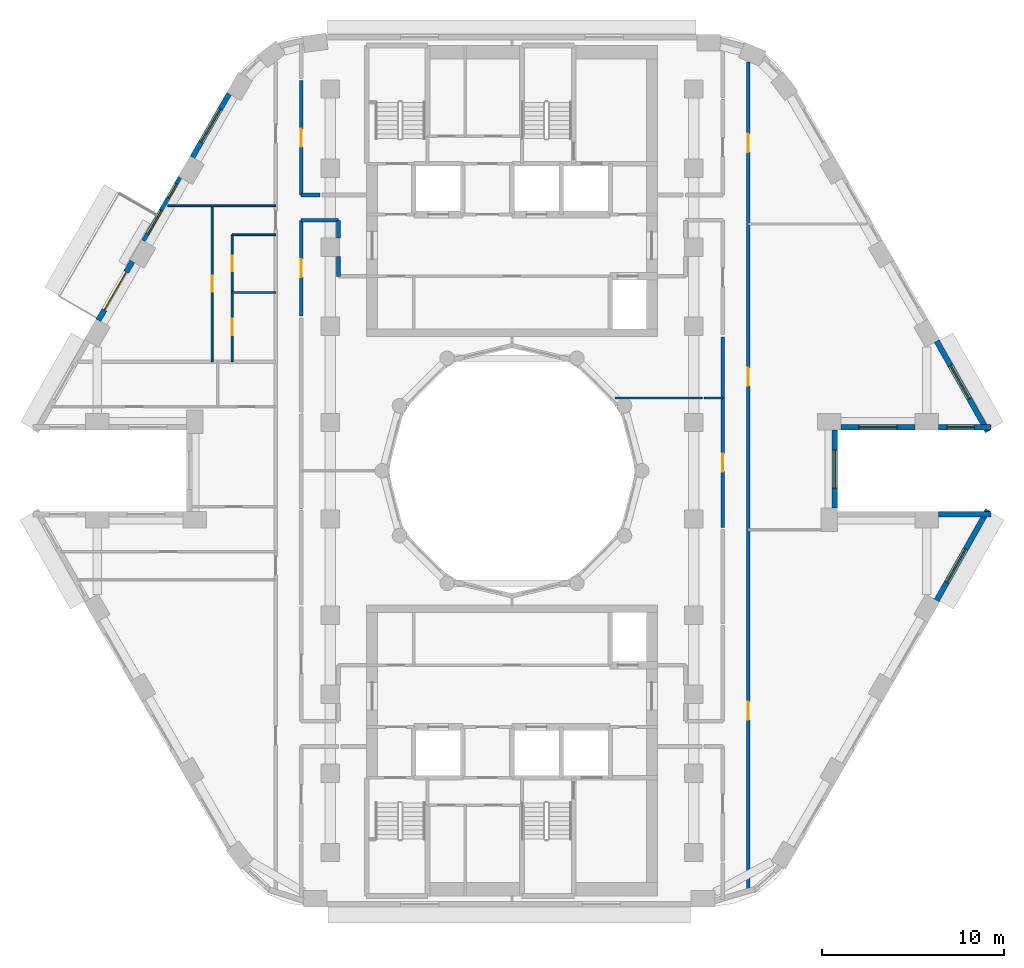
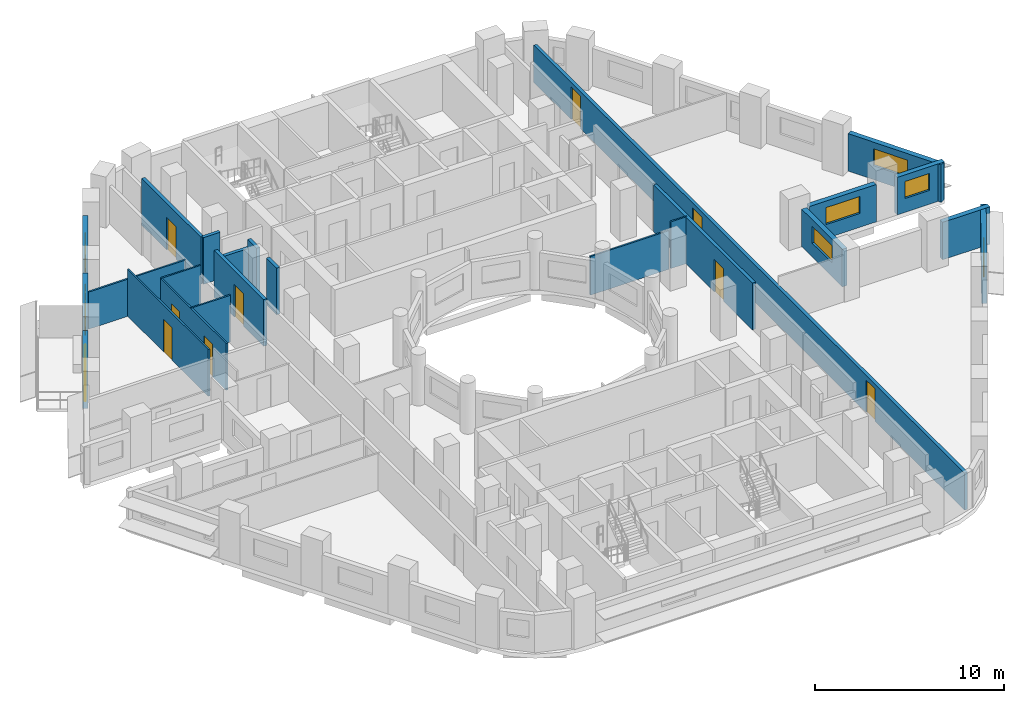
# One storey, part 6 of 13: 24 walls, 10 doors, 8 windows, 18 openings.
"""IFC4 building model written with IfcOpenShell, lengths in metres."""

from ifc_helpers import new_model, si_unit, direction, frame, frame_2d, origin, place, context, subcontext, project, spatial, rectangle, extrude, material, layer, layer_set, type_object, element, fill, save


model = new_model("IFC4")

# Units and contexts
model_context = context("Model", 3, precision=1e-05, world=origin(), true_north=direction((0.0, 1.0)))
body_context = subcontext(model_context, "Body", "Model", "MODEL_VIEW")
ifc_project = project(units=[si_unit("LENGTHUNIT", "METRE"), si_unit("AREAUNIT", "SQUARE_METRE"), si_unit("VOLUMEUNIT", "CUBIC_METRE"), si_unit("PLANEANGLEUNIT", "RADIAN"), si_unit("MASSUNIT", "GRAM", prefix="KILO")], contexts=[model_context])

# Site, building, storey
site_placement = place(None, origin())
site = spatial("IfcSite", under=ifc_project, at=site_placement, CompositionType="ELEMENT")
building_placement = place(site_placement, origin())
building = spatial("IfcBuilding", under=site, at=building_placement, Name="Nakaniwa Court", CompositionType="ELEMENT")
storey_placement = place(building_placement, frame((0.0, 0.0, 133.800048828125)))
storey = spatial("IfcBuildingStorey", under=building, at=storey_placement, Name="L34", CompositionType="ELEMENT", Elevation=133.800048828125)

# Wall, opening, door
ifc_material_1 = material(Name="Acoustic double stud partition")
ifc_layer_1 = layer(ifc_material_1, 0.199951171875)
ifc_layer_set_1 = layer_set([ifc_layer_1], Name="Acoustic double stud partition")
wall_type_1 = type_object("IfcWallType", Name="Acoustic double stud partition 200", PredefinedType="PARTITIONING", material=ifc_layer_set_1)
wall_1_placement = place(storey_placement, frame((91.60009765625, 76.88720703125, 0.0), z_axis=(0.0, 0.0, 1.0), x_axis=(0.0, 1.0, 0.0)))
wall_1 = element("IfcWall", 1, at=wall_1_placement, inside=storey, type_object=wall_type_1, Name="Partition PW-069", PredefinedType="PARTITIONING", context=body_context, shape_type="SweptSolid", body=[
    extrude(rectangle(XDim=10.485595703125, YDim=0.199951171875, at=frame_2d((5.24267578125, 0.0))), origin(), (0.0, 0.0, 1.0), 3.02490234375),
])
opening_1_placement = place(wall_1_placement, frame((3.05810546875, 0.0, 0.0)))
opening_1 = element("IfcOpeningElement", 2, at=opening_1_placement, cuts=wall_1, Name="Opening D-02-03", PredefinedType="OPENING", context=body_context, shape_type="SweptSolid", body=[
    extrude(rectangle(XDim=1.0, YDim=2.10009765625, at=frame_2d((0.5, 1.050048828125))), frame((0.0, 0.10986328125, 0.0), z_axis=(0.0, -1.0, 0.0), x_axis=(1.0, 0.0, 0.0)), (0.0, 0.0, 1.0), 0.219970703125),
])
ifc_material_2 = material(Name="Solid core timber door set, black veneer", Category="wood")
door_type_1 = type_object("IfcDoorType", Name="Internal door 1000", OperationType="NOTDEFINED", PredefinedType="DOOR", material=ifc_material_2)
door_1_placement = place(opening_1_placement, origin())
door_1 = element("IfcDoor", 3, at=door_1_placement, inside=storey, type_object=door_type_1, Name="Door D-02-03 L34-023", OperationType="SINGLE_SWING_RIGHT", OverallHeight=2.10009765625, OverallWidth=1.0, PredefinedType="DOOR", context=body_context, shape_type="SweptSolid", body=[
    extrude(rectangle(XDim=1.0, YDim=2.10009765625, at=frame_2d((0.5, 1.050048828125))), frame((0.0, 0.02490234375, 0.0), z_axis=(0.0, -1.0, 0.0), x_axis=(1.0, 0.0, 0.0)), (0.0, 0.0, 1.0), 0.050048828125),
])
fill(opening_1, door_1)

# Wall, openings, doors
wall_2_placement = place(storey_placement, frame((93.0, 102.498046875, 0.0), z_axis=(0.0, 0.0, 1.0), x_axis=(0.0, -1.0, 0.0)))
wall_2 = element("IfcWall", 4, at=wall_2_placement, inside=storey, type_object=wall_type_1, Name="Partition PW-077", PredefinedType="PARTITIONING", context=body_context, shape_type="SweptSolid", body=[
    extrude(rectangle(XDim=45.664794921875, YDim=0.199951171875, at=frame_2d((22.83251953125, 0.0))), origin(), (0.0, 0.0, 1.0), 2.405029296875),
])
opening_2_placement = place(wall_2_placement, frame((35.2060546875, 0.0, 0.0)))
opening_2 = element("IfcOpeningElement", 5, at=opening_2_placement, cuts=wall_2, Name="Opening D-02-02", PredefinedType="OPENING", context=body_context, shape_type="SweptSolid", body=[
    extrude(rectangle(XDim=1.0, YDim=2.10009765625, at=frame_2d((0.5, 1.050048828125))), frame((0.0, 0.10986328125, 0.0), z_axis=(0.0, -1.0, 0.0), x_axis=(1.0, 0.0, 0.0)), (0.0, 0.0, 1.0), 0.219970703125),
])
opening_3_placement = place(wall_2_placement, frame((16.83203125, 0.0, 0.0)))
opening_3 = element("IfcOpeningElement", 6, at=opening_3_placement, cuts=wall_2, Name="Opening D-02-04", PredefinedType="OPENING", context=body_context, shape_type="SweptSolid", body=[
    extrude(rectangle(XDim=1.0, YDim=2.10009765625, at=frame_2d((0.5, 1.050048828125))), frame((0.0, 0.10986328125, 0.0), z_axis=(0.0, -1.0, 0.0), x_axis=(1.0, 0.0, 0.0)), (0.0, 0.0, 1.0), 0.219970703125),
])
opening_4_placement = place(wall_2_placement, frame((3.958984375, 0.0, 0.0)))
opening_4 = element("IfcOpeningElement", 7, at=opening_4_placement, cuts=wall_2, Name="Opening D-02-05", PredefinedType="OPENING", context=body_context, shape_type="SweptSolid", body=[
    extrude(rectangle(XDim=1.0, YDim=2.10009765625, at=frame_2d((0.5, 1.050048828125))), frame((0.0, 0.10986328125, 0.0), z_axis=(0.0, -1.0, 0.0), x_axis=(1.0, 0.0, 0.0)), (0.0, 0.0, 1.0), 0.219970703125),
])
door_2_placement = place(opening_2_placement, origin())
door_2 = element("IfcDoor", 8, at=door_2_placement, inside=storey, type_object=door_type_1, Name="Door D-02-02 L34-022", OperationType="SINGLE_SWING_LEFT", OverallHeight=2.10009765625, OverallWidth=1.0, PredefinedType="DOOR", context=body_context, shape_type="SweptSolid", body=[
    extrude(rectangle(XDim=1.0, YDim=2.10009765625, at=frame_2d((0.5, 1.050048828125))), frame((0.0, 0.02490234375, 0.0), z_axis=(0.0, -1.0, 0.0), x_axis=(1.0, 0.0, 0.0)), (0.0, 0.0, 1.0), 0.050048828125),
])
fill(opening_2, door_2)
door_3_placement = place(opening_3_placement, origin())
door_3 = element("IfcDoor", 9, at=door_3_placement, inside=storey, type_object=door_type_1, Name="Door D-02-04 L34-024", OperationType="SINGLE_SWING_LEFT", OverallHeight=2.10009765625, OverallWidth=1.0, PredefinedType="DOOR", context=body_context, shape_type="SweptSolid", body=[
    extrude(rectangle(XDim=1.0, YDim=2.10009765625, at=frame_2d((0.5, 1.050048828125))), frame((0.0, 0.02490234375, 0.0), z_axis=(0.0, -1.0, 0.0), x_axis=(1.0, 0.0, 0.0)), (0.0, 0.0, 1.0), 0.050048828125),
])
fill(opening_3, door_3)
door_4_placement = place(opening_4_placement, origin())
door_4 = element("IfcDoor", 10, at=door_4_placement, inside=storey, type_object=door_type_1, Name="Door D-02-05 L34-025", OperationType="SINGLE_SWING_RIGHT", OverallHeight=2.10009765625, OverallWidth=1.0, PredefinedType="DOOR", context=body_context, shape_type="SweptSolid", body=[
    extrude(rectangle(XDim=1.0, YDim=2.10009765625, at=frame_2d((0.5, 1.050048828125))), frame((0.0, 0.02490234375, 0.0), z_axis=(0.0, -1.0, 0.0), x_axis=(1.0, 0.0, 0.0)), (0.0, 0.0, 1.0), 0.050048828125),
])
fill(opening_4, door_4)

# Walls
wall_3_placement = place(storey_placement, frame((68.39990234375, 93.77490234375, 0.0), z_axis=(0.0, 0.0, 1.0), x_axis=(1.0, 0.0, 0.0)))
element("IfcWall", 11, at=wall_3_placement, inside=storey, type_object=wall_type_1, Name="Partition PW-086", PredefinedType="PARTITIONING", context=body_context, shape_type="SweptSolid", body=[
    extrude(rectangle(XDim=2.050048828125, YDim=0.199951171875, at=frame_2d((1.02490234375, 0.0))), origin(), (0.0, 0.0, 1.0), 2.5048828125),
])
wall_4_placement = place(storey_placement, frame((68.39990234375, 95.175048828125, 0.0), z_axis=(0.0, 0.0, 1.0), x_axis=(1.0, 0.0, 0.0)))
element("IfcWall", 12, at=wall_4_placement, inside=storey, type_object=wall_type_1, Name="Partition PW-090", PredefinedType="PARTITIONING", context=body_context, shape_type="SweptSolid", body=[
    extrude(rectangle(XDim=1.02294921875, YDim=0.199951171875, at=frame_2d((0.511474609375, 0.0))), origin(), (0.0, 0.0, 1.0), 3.02490234375),
])

# Wall, opening, door
wall_5_placement = place(storey_placement, frame((68.39990234375, 93.77490234375, 0.0), z_axis=(0.0, 0.0, 1.0), x_axis=(0.0, -1.0, 0.0)))
wall_5 = element("IfcWall", 13, at=wall_5_placement, inside=storey, type_object=wall_type_1, Name="Partition PW-100", PredefinedType="PARTITIONING", context=body_context, shape_type="SweptSolid", body=[
    extrude(rectangle(XDim=5.247802734375, YDim=0.199951171875, at=frame_2d((2.6240234375, 0.0))), origin(), (0.0, 0.0, 1.0), 3.02490234375),
])
opening_5_placement = place(wall_5_placement, frame((2.123046875, 0.0, 0.0)))
opening_5 = element("IfcOpeningElement", 14, at=opening_5_placement, cuts=wall_5, Name="Opening D-02-09", PredefinedType="OPENING", context=body_context, shape_type="SweptSolid", body=[
    extrude(rectangle(XDim=1.0, YDim=2.10009765625, at=frame_2d((0.5, 1.050048828125))), frame((0.0, 0.10986328125, 0.0), z_axis=(0.0, -1.0, 0.0), x_axis=(1.0, 0.0, 0.0)), (0.0, 0.0, 1.0), 0.219970703125),
])
door_5_placement = place(opening_5_placement, origin())
door_5 = element("IfcDoor", 15, at=door_5_placement, inside=storey, type_object=door_type_1, Name="Door D-02-09 L34-034", OperationType="SINGLE_SWING_LEFT", OverallHeight=2.10009765625, OverallWidth=1.0, PredefinedType="DOOR", context=body_context, shape_type="SweptSolid", body=[
    extrude(rectangle(XDim=1.0, YDim=2.10009765625, at=frame_2d((0.5, 1.050048828125))), frame((0.0, 0.02490234375, 0.0), z_axis=(0.0, -1.0, 0.0), x_axis=(1.0, 0.0, 0.0)), (0.0, 0.0, 1.0), 0.050048828125),
])
fill(opening_5, door_5)

wall_6_placement = place(storey_placement, frame((68.39990234375, 101.462890625, 0.0), z_axis=(0.0, 0.0, 1.0), x_axis=(0.0, -1.0, 0.0)))
wall_6 = element("IfcWall", 16, at=wall_6_placement, inside=storey, type_object=wall_type_1, Name="Partition PW-101", PredefinedType="PARTITIONING", context=body_context, shape_type="SweptSolid", body=[
    extrude(rectangle(XDim=6.287841796875, YDim=0.199951171875, at=frame_2d((3.14404296875, 0.0))), origin(), (0.0, 0.0, 1.0), 3.02490234375),
])
opening_6_placement = place(wall_6_placement, frame((2.64501953125, 0.0, 0.0)))
opening_6 = element("IfcOpeningElement", 17, at=opening_6_placement, cuts=wall_6, Name="Opening D-02-10", PredefinedType="OPENING", context=body_context, shape_type="SweptSolid", body=[
    extrude(rectangle(XDim=1.0, YDim=2.10009765625, at=frame_2d((0.5, 1.050048828125))), frame((0.0, 0.10986328125, 0.0), z_axis=(0.0, -1.0, 0.0), x_axis=(1.0, 0.0, 0.0)), (0.0, 0.0, 1.0), 0.219970703125),
])
door_6_placement = place(opening_6_placement, origin())
door_6 = element("IfcDoor", 18, at=door_6_placement, inside=storey, type_object=door_type_1, Name="Door D-02-10 L34-039", OperationType="SINGLE_SWING_RIGHT", OverallHeight=2.10009765625, OverallWidth=1.0, PredefinedType="DOOR", context=body_context, shape_type="SweptSolid", body=[
    extrude(rectangle(XDim=1.0, YDim=2.10009765625, at=frame_2d((0.5, 1.050048828125))), frame((0.0, 0.02490234375, 0.0), z_axis=(0.0, -1.0, 0.0), x_axis=(1.0, 0.0, 0.0)), (0.0, 0.0, 1.0), 0.050048828125),
])
fill(opening_6, door_6)

# Walls
wall_7_placement = place(storey_placement, frame((70.449951171875, 90.699951171875, 0.0), z_axis=(0.0, 0.0, 1.0), x_axis=(0.0, 1.0, 0.0)))
element("IfcWall", 19, at=wall_7_placement, inside=storey, type_object=wall_type_1, Name="Partition PW-106", PredefinedType="PARTITIONING", context=body_context, shape_type="SweptSolid", body=[
    extrude(rectangle(XDim=1.082763671875, YDim=0.199951171875, at=frame_2d((0.54150390625, 0.0))), origin(), (0.0, 0.0, 1.0), 3.02490234375),
])
wall_8_placement = place(storey_placement, frame((70.449951171875, 92.817138671875, 0.0), z_axis=(0.0, 0.0, 1.0), x_axis=(0.0, 1.0, 0.0)))
element("IfcWall", 20, at=wall_8_placement, inside=storey, type_object=wall_type_1, Name="Partition PW-107", PredefinedType="PARTITIONING", context=body_context, shape_type="SweptSolid", body=[
    extrude(rectangle(XDim=0.957763671875, YDim=0.199951171875, at=frame_2d((0.47900390625, 0.0))), origin(), (0.0, 0.0, 1.0), 3.02490234375),
])

# Wall, opening, window
ifc_material_3 = material(Name="Charcoal ceramic cladding")
ifc_layer_2 = layer(ifc_material_3, 0.02, Name="Ceramic cladding")
ifc_material_4 = material(Name="Ventilated air cavity")
ifc_layer_3 = layer(ifc_material_4, 0.04, ventilated=True, Name="Ventilated cavity")
ifc_material_5 = material(Name="Mineral wool insulation")
ifc_layer_4 = layer(ifc_material_5, 0.1, Name="Insulation")
ifc_material_6 = material(Name="Cement bonded sheathing board")
ifc_layer_5 = layer(ifc_material_6, 0.012, Name="Sheathing")
ifc_material_7 = material(Name="Cold-formed galvanised stud frame with mineral wool infill")
ifc_layer_6 = layer(ifc_material_7, 0.1, Name="Stud frame")
ifc_material_8 = material(Name="Fire-rated gypsum plasterboard lining")
ifc_layer_7 = layer(ifc_material_8, 0.028, Name="Lining")
ifc_layer_set_2 = layer_set([ifc_layer_2, ifc_layer_3, ifc_layer_4, ifc_layer_5, ifc_layer_6, ifc_layer_7], Name="Charcoal ceramic faced external wall system")
wall_type_2 = type_object("IfcWallType", Name="Black ceramic faced external wall 300", PredefinedType="SOLIDWALL", material=ifc_layer_set_2)
wall_9_placement = place(storey_placement, frame((98.1044921875, 82.39990234375, 0.0), z_axis=(0.0, 0.0, 1.0), x_axis=(1.0, 0.0, 0.0)))
wall_9 = element("IfcWall", 21, at=wall_9_placement, inside=storey, type_object=wall_type_2, Name="L34 external wall 00", PredefinedType="SOLIDWALL", context=body_context, shape_type="SweptSolid", body=[
    extrude(rectangle(XDim=4.072509765625, YDim=0.300048828125, at=frame_2d((2.0361328125, 0.0))), origin(), (0.0, 0.0, 1.0), 2.425048828125),
])
opening_7_placement = place(wall_9_placement, frame((0.986083984375, 0.0, 0.89990234375)))
opening_7 = element("IfcOpeningElement", 22, at=opening_7_placement, cuts=wall_9, Name="Opening W7.01", PredefinedType="OPENING", context=body_context, shape_type="SweptSolid", body=[
    extrude(rectangle(XDim=2.10009765625, YDim=1.10009765625, at=frame_2d((1.050048828125, 0.550048828125))), frame((0.0, 0.159912109375, 0.0), z_axis=(0.0, -1.0, 0.0), x_axis=(1.0, 0.0, 0.0)), (0.0, 0.0, 1.0), 0.320068359375),
])
ifc_material_9 = material(Name="Black anodised aluminium frame with dark low-E laminated double glazing", Category="aluminium")
window_type_1 = type_object("IfcWindowType", Name="Dark glass window 2100x1100 sill 900", PartitioningType="SINGLE_PANEL", PredefinedType="WINDOW", material=ifc_material_9)
window_1_placement = place(opening_7_placement, origin())
window_1 = element("IfcWindow", 23, at=window_1_placement, inside=storey, type_object=window_type_1, Name="L34 habitable room window 00-0", OverallHeight=1.10009765625, OverallWidth=2.10009765625, PartitioningType="SINGLE_PANEL", PredefinedType="WINDOW", context=body_context, shape_type="SweptSolid", body=[
    extrude(rectangle(XDim=2.10009765625, YDim=1.10009765625, at=frame_2d((1.050048828125, 0.550048828125))), frame((0.0, 0.030029296875, 0.0), z_axis=(0.0, -1.0, 0.0), x_axis=(1.0, 0.0, 0.0)), (0.0, 0.0, 1.0), 0.06005859375),
])
fill(opening_7, window_1)

wall_10_placement = place(storey_placement, frame((103.468994140625, 82.39990234375, 0.0), z_axis=(0.0, 0.0, 1.0), x_axis=(1.0, 0.0, 0.0)))
wall_10 = element("IfcWall", 24, at=wall_10_placement, inside=storey, type_object=wall_type_2, Name="L34 external wall 01", PredefinedType="SOLIDWALL", context=body_context, shape_type="SweptSolid", body=[
    extrude(rectangle(XDim=2.8876953125, YDim=0.300048828125, at=frame_2d((1.44384765625, 0.0))), origin(), (0.0, 0.0, 1.0), 2.425048828125),
])
opening_8_placement = place(wall_10_placement, frame((0.468994140625, 0.0, 0.89990234375)))
opening_8 = element("IfcOpeningElement", 25, at=opening_8_placement, cuts=wall_10, Name="Opening W5.02", PredefinedType="OPENING", context=body_context, shape_type="SweptSolid", body=[
    extrude(rectangle(XDim=1.5, YDim=1.10009765625, at=frame_2d((0.75, 0.550048828125))), frame((0.0, 0.159912109375, 0.0), z_axis=(0.0, -1.0, 0.0), x_axis=(1.0, 0.0, 0.0)), (0.0, 0.0, 1.0), 0.320068359375),
])
window_type_2 = type_object("IfcWindowType", Name="Dark glass window 1500x1100 sill 900", PartitioningType="SINGLE_PANEL", PredefinedType="WINDOW", material=ifc_material_9)
window_2_placement = place(opening_8_placement, origin())
window_2 = element("IfcWindow", 26, at=window_2_placement, inside=storey, type_object=window_type_2, Name="L34 habitable room window 01-0", OverallHeight=1.10009765625, OverallWidth=1.5, PartitioningType="SINGLE_PANEL", PredefinedType="WINDOW", context=body_context, shape_type="SweptSolid", body=[
    extrude(rectangle(XDim=1.5, YDim=1.10009765625, at=frame_2d((0.75, 0.550048828125))), frame((0.0, 0.030029296875, 0.0), z_axis=(0.0, -1.0, 0.0), x_axis=(1.0, 0.0, 0.0)), (0.0, 0.0, 1.0), 0.06005859375),
])
fill(opening_8, window_2)

wall_11_placement = place(storey_placement, frame((106.18603515625, 82.1533203125, 0.0), z_axis=(0.0, 0.0, 1.0), x_axis=(-0.492498306264, 0.87031340236, 0.0)))
wall_11 = element("IfcWall", 27, at=wall_11_placement, inside=storey, type_object=wall_type_2, Name="L34 external wall 02", PredefinedType="SOLIDWALL", context=body_context, shape_type="SweptSolid", body=[
    extrude(rectangle(XDim=5.7265625, YDim=0.300048828125, at=frame_2d((2.86328125, 0.0))), origin(), (0.0, 0.0, 1.0), 2.425048828125),
])
opening_9_placement = place(wall_11_placement, frame((2.076416015625, 0.0, 0.89990234375)))
opening_9 = element("IfcOpeningElement", 28, at=opening_9_placement, cuts=wall_11, Name="Opening W7.03", PredefinedType="OPENING", context=body_context, shape_type="SweptSolid", body=[
    extrude(rectangle(XDim=2.10009765625, YDim=1.10009765625, at=frame_2d((1.050048828125, 0.550048828125))), frame((0.0, 0.159912109375, 0.0), z_axis=(0.0, -1.0, 0.0), x_axis=(1.0, 0.0, 0.0)), (0.0, 0.0, 1.0), 0.320068359375),
])
window_3_placement = place(opening_9_placement, origin())
window_3 = element("IfcWindow", 29, at=window_3_placement, inside=storey, type_object=window_type_1, Name="L34 habitable room window 02-0", OverallHeight=1.10009765625, OverallWidth=2.10009765625, PartitioningType="SINGLE_PANEL", PredefinedType="WINDOW", context=body_context, shape_type="SweptSolid", body=[
    extrude(rectangle(XDim=2.10009765625, YDim=1.10009765625, at=frame_2d((1.050048828125, 0.550048828125))), frame((0.0, 0.030029296875, 0.0), z_axis=(0.0, -1.0, 0.0), x_axis=(1.0, 0.0, 0.0)), (0.0, 0.0, 1.0), 0.06005859375),
])
fill(opening_9, window_3)

wall_12_placement = place(storey_placement, frame((64.434814453125, 100.739990234375, 0.0), z_axis=(0.0, 0.0, 1.0), x_axis=(-0.500031546601, -0.86600718958, 0.0)))
wall_12 = element("IfcWall", 30, at=wall_12_placement, inside=storey, type_object=wall_type_2, Name="L34 external wall 11", PredefinedType="SOLIDWALL", context=body_context, shape_type="SweptSolid", body=[
    extrude(rectangle(XDim=4.033935546875, YDim=0.300048828125, at=frame_2d((2.01708984375, 0.0))), origin(), (0.0, 0.0, 1.0), 2.425048828125),
])
opening_10_placement = place(wall_12_placement, frame((0.967041015625, 0.0, 0.89990234375)))
opening_10 = element("IfcOpeningElement", 31, at=opening_10_placement, cuts=wall_12, Name="Opening W7.12", PredefinedType="OPENING", context=body_context, shape_type="SweptSolid", body=[
    extrude(rectangle(XDim=2.10009765625, YDim=1.10009765625, at=frame_2d((1.050048828125, 0.550048828125))), frame((0.0, 0.159912109375, 0.0), z_axis=(0.0, -1.0, 0.0), x_axis=(1.0, 0.0, 0.0)), (0.0, 0.0, 1.0), 0.320068359375),
])
window_4_placement = place(opening_10_placement, origin())
window_4 = element("IfcWindow", 32, at=window_4_placement, inside=storey, type_object=window_type_1, Name="L34 habitable room window 11-0", OverallHeight=1.10009765625, OverallWidth=2.10009765625, PartitioningType="SINGLE_PANEL", PredefinedType="WINDOW", context=body_context, shape_type="SweptSolid", body=[
    extrude(rectangle(XDim=2.10009765625, YDim=1.10009765625, at=frame_2d((1.050048828125, 0.550048828125))), frame((0.0, 0.030029296875, 0.0), z_axis=(0.0, -1.0, 0.0), x_axis=(1.0, 0.0, 0.0)), (0.0, 0.0, 1.0), 0.06005859375),
])
fill(opening_10, window_4)

# Wall, openings, windows
wall_13_placement = place(storey_placement, frame((61.771728515625, 96.127685546875, 0.0), z_axis=(0.0, 0.0, 1.0), x_axis=(-0.500031546601, -0.86600718958, 0.0)))
wall_13 = element("IfcWall", 33, at=wall_13_placement, inside=storey, type_object=wall_type_2, Name="L34 external wall 12", PredefinedType="SOLIDWALL", context=body_context, shape_type="SweptSolid", body=[
    extrude(rectangle(XDim=4.033935546875, YDim=0.300048828125, at=frame_2d((2.01708984375, 0.0))), origin(), (0.0, 0.0, 1.0), 2.425048828125),
])
opening_11_placement = place(wall_13_placement, frame((0.4052734375, 0.0, 0.89990234375)))
opening_11 = element("IfcOpeningElement", 34, at=opening_11_placement, cuts=wall_13, Name="Opening W9.13", PredefinedType="OPENING", context=body_context, shape_type="SweptSolid", body=[
    extrude(rectangle(XDim=0.89990234375, YDim=1.10009765625, at=frame_2d((0.449951171875, 0.550048828125))), frame((0.0, 0.159912109375, 0.0), z_axis=(0.0, -1.0, 0.0), x_axis=(1.0, 0.0, 0.0)), (0.0, 0.0, 1.0), 0.320068359375),
])
opening_12_placement = place(wall_13_placement, frame((2.09765625, 0.0, 0.89990234375)))
opening_12 = element("IfcOpeningElement", 35, at=opening_12_placement, cuts=wall_13, Name="Opening W5.14", PredefinedType="OPENING", context=body_context, shape_type="SweptSolid", body=[
    extrude(rectangle(XDim=1.5, YDim=1.10009765625, at=frame_2d((0.75, 0.550048828125))), frame((0.0, 0.159912109375, 0.0), z_axis=(0.0, -1.0, 0.0), x_axis=(1.0, 0.0, 0.0)), (0.0, 0.0, 1.0), 0.320068359375),
])
window_5_placement = place(opening_12_placement, origin())
window_5 = element("IfcWindow", 36, at=window_5_placement, inside=storey, type_object=window_type_2, Name="L34 living window 12-1", OverallHeight=1.10009765625, OverallWidth=1.5, PartitioningType="SINGLE_PANEL", PredefinedType="WINDOW", context=body_context, shape_type="SweptSolid", body=[
    extrude(rectangle(XDim=1.5, YDim=1.10009765625, at=frame_2d((0.75, 0.550048828125))), frame((0.0, 0.030029296875, 0.0), z_axis=(0.0, -1.0, 0.0), x_axis=(1.0, 0.0, 0.0)), (0.0, 0.0, 1.0), 0.06005859375),
])
fill(opening_12, window_5)
window_type_3 = type_object("IfcWindowType", Name="Dark glass window 900x1100 sill 900", PartitioningType="SINGLE_PANEL", PredefinedType="WINDOW", material=ifc_material_9)
window_6_placement = place(opening_11_placement, origin())
window_6 = element("IfcWindow", 37, at=window_6_placement, inside=storey, type_object=window_type_3, Name="L34 habitable room window 12-0", OverallHeight=1.10009765625, OverallWidth=0.89990234375, PartitioningType="SINGLE_PANEL", PredefinedType="WINDOW", context=body_context, shape_type="SweptSolid", body=[
    extrude(rectangle(XDim=0.89990234375, YDim=1.10009765625, at=frame_2d((0.449951171875, 0.550048828125))), frame((0.0, 0.030029296875, 0.0), z_axis=(0.0, -1.0, 0.0), x_axis=(1.0, 0.0, 0.0)), (0.0, 0.0, 1.0), 0.06005859375),
])
fill(opening_11, window_6)

# Wall, opening, door
wall_14_placement = place(storey_placement, frame((59.108642578125, 91.515380859375, 0.0), z_axis=(0.0, 0.0, 1.0), x_axis=(-0.499933594891, -0.866063739398, 0.0)))
wall_14 = element("IfcWall", 38, at=wall_14_placement, inside=storey, type_object=wall_type_2, Name="L34 external wall 13", PredefinedType="SOLIDWALL", context=body_context, shape_type="SweptSolid", body=[
    extrude(rectangle(XDim=3.73681640625, YDim=0.300048828125, at=frame_2d((1.868408203125, 0.0))), origin(), (0.0, 0.0, 1.0), 2.425048828125),
])
opening_13_placement = place(wall_14_placement, frame((0.66845703125, 0.0, 0.0)))
opening_13 = element("IfcOpeningElement", 39, at=opening_13_placement, cuts=wall_14, Name="Opening XD13.01", PredefinedType="OPENING", context=body_context, shape_type="SweptSolid", body=[
    extrude(rectangle(XDim=2.39990234375, YDim=2.0, at=frame_2d((1.199951171875, 1.0))), frame((0.0, 0.159912109375, 0.0), z_axis=(0.0, -1.0, 0.0), x_axis=(1.0, 0.0, 0.0)), (0.0, 0.0, 1.0), 0.320068359375),
])
ifc_material_10 = material(Name="Black powder-coated aluminium frame with dark laminated glass", Category="aluminium")
door_type_2 = type_object("IfcDoorType", Name="Balcony sliding door 2400x2000", OperationType="DOUBLE_DOOR_SLIDING", PredefinedType="DOOR", material=ifc_material_10)
door_7_placement = place(opening_13_placement, origin())
door_7 = element("IfcDoor", 40, at=door_7_placement, inside=storey, type_object=door_type_2, Name="L34 balcony sliding door 01", OperationType="DOUBLE_DOOR_SLIDING", OverallHeight=2.0, OverallWidth=2.39990234375, PredefinedType="DOOR", context=body_context, shape_type="SweptSolid", body=[
    extrude(rectangle(XDim=2.39990234375, YDim=2.0, at=frame_2d((1.199951171875, 1.0))), frame((0.0, 0.02490234375, 0.0), z_axis=(0.0, -1.0, 0.0), x_axis=(1.0, 0.0, 0.0)), (0.0, 0.0, 1.0), 0.050048828125),
])
fill(opening_13, door_7)

# Wall, opening, window
wall_15_placement = place(storey_placement, frame((103.36572265625, 72.86279296875, 0.0), z_axis=(0.0, 0.0, 1.0), x_axis=(0.492498306264, 0.87031340236, 0.0)))
wall_15 = element("IfcWall", 41, at=wall_15_placement, inside=storey, type_object=wall_type_2, Name="L34 external wall 32", PredefinedType="SOLIDWALL", context=body_context, shape_type="SweptSolid", body=[
    extrude(rectangle(XDim=5.7265625, YDim=0.300048828125, at=frame_2d((2.86328125, 0.0))), origin(), (0.0, 0.0, 1.0), 2.425048828125),
])
opening_14_placement = place(wall_15_placement, frame((1.147705078125, 0.0, 0.89990234375)))
opening_14 = element("IfcOpeningElement", 42, at=opening_14_placement, cuts=wall_15, Name="Opening W7.33", PredefinedType="OPENING", context=body_context, shape_type="SweptSolid", body=[
    extrude(rectangle(XDim=2.10009765625, YDim=1.10009765625, at=frame_2d((1.050048828125, 0.550048828125))), frame((0.0, 0.159912109375, 0.0), z_axis=(0.0, -1.0, 0.0), x_axis=(1.0, 0.0, 0.0)), (0.0, 0.0, 1.0), 0.320068359375),
])
window_7_placement = place(opening_14_placement, origin())
window_7 = element("IfcWindow", 43, at=window_7_placement, inside=storey, type_object=window_type_1, Name="L34 habitable room window 32-0", OverallHeight=1.10009765625, OverallWidth=2.10009765625, PartitioningType="SINGLE_PANEL", PredefinedType="WINDOW", context=body_context, shape_type="SweptSolid", body=[
    extrude(rectangle(XDim=2.10009765625, YDim=1.10009765625, at=frame_2d((1.050048828125, 0.550048828125))), frame((0.0, 0.030029296875, 0.0), z_axis=(0.0, -1.0, 0.0), x_axis=(1.0, 0.0, 0.0)), (0.0, 0.0, 1.0), 0.06005859375),
])
fill(opening_14, window_7)

# Wall
wall_16_placement = place(storey_placement, frame((106.356689453125, 77.60009765625, 0.0), z_axis=(0.0, 0.0, 1.0), x_axis=(-1.0, 0.0, 0.0)))
element("IfcWall", 44, at=wall_16_placement, inside=storey, type_object=wall_type_2, Name="L34 external wall 33", PredefinedType="SOLIDWALL", context=body_context, shape_type="SweptSolid", body=[
    extrude(rectangle(XDim=2.8876953125, YDim=0.300048828125, at=frame_2d((1.44384765625, 0.0))), origin(), (0.0, 0.0, 1.0), 2.425048828125),
])

# Wall, opening, window
wall_17_placement = place(storey_placement, frame((97.75830078125, 77.946044921875, 0.0), z_axis=(0.0, 0.0, 1.0), x_axis=(0.0, 1.0, 0.0)))
wall_17 = element("IfcWall", 45, at=wall_17_placement, inside=storey, type_object=wall_type_2, Name="L34 external wall 35", PredefinedType="SOLIDWALL", context=body_context, shape_type="SweptSolid", body=[
    extrude(rectangle(XDim=4.307861328125, YDim=0.300048828125, at=frame_2d((2.15380859375, 0.0))), origin(), (0.0, 0.0, 1.0), 2.425048828125),
])
opening_15_placement = place(wall_17_placement, frame((1.10400390625, 0.0, 0.89990234375)))
opening_15 = element("IfcOpeningElement", 46, at=opening_15_placement, cuts=wall_17, Name="Opening W7.34", PredefinedType="OPENING", context=body_context, shape_type="SweptSolid", body=[
    extrude(rectangle(XDim=2.10009765625, YDim=1.10009765625, at=frame_2d((1.050048828125, 0.550048828125))), frame((0.0, 0.159912109375, 0.0), z_axis=(0.0, -1.0, 0.0), x_axis=(1.0, 0.0, 0.0)), (0.0, 0.0, 1.0), 0.320068359375),
])
window_8_placement = place(opening_15_placement, origin())
window_8 = element("IfcWindow", 47, at=window_8_placement, inside=storey, type_object=window_type_1, Name="L34 habitable room window 35-0", OverallHeight=1.10009765625, OverallWidth=2.10009765625, PartitioningType="SINGLE_PANEL", PredefinedType="WINDOW", context=body_context, shape_type="SweptSolid", body=[
    extrude(rectangle(XDim=2.10009765625, YDim=1.10009765625, at=frame_2d((1.050048828125, 0.550048828125))), frame((0.0, 0.030029296875, 0.0), z_axis=(0.0, -1.0, 0.0), x_axis=(1.0, 0.0, 0.0)), (0.0, 0.0, 1.0), 0.06005859375),
])
fill(opening_15, window_8)

# Walls
ifc_material_11 = material(Name="Single stud plasterboard partition")
ifc_layer_8 = layer(ifc_material_11, 0.10009765625)
ifc_layer_set_3 = layer_set([ifc_layer_8], Name="Single stud plasterboard partition")
wall_type_3 = type_object("IfcWallType", Name="Single stud plasterboard partition 100", PredefinedType="PARTITIONING", material=ifc_layer_set_3)
wall_18_placement = place(storey_placement, frame((85.67333984375, 84.0, 0.0), z_axis=(0.0, 0.0, 1.0), x_axis=(1.0, 0.0, 0.0)))
element("IfcWall", 48, at=wall_18_placement, inside=storey, type_object=wall_type_3, Name="Partition PW-113", PredefinedType="PARTITIONING", context=body_context, shape_type="SweptSolid", body=[
    extrude(rectangle(XDim=4.78662109375, YDim=0.10009765625, at=frame_2d((2.393310546875, 0.0))), origin(), (0.0, 0.0, 1.0), 2.5048828125),
])
wall_19_placement = place(storey_placement, frame((90.580078125, 84.0, 0.0), z_axis=(0.0, 0.0, 1.0), x_axis=(1.0, 0.0, 0.0)))
element("IfcWall", 49, at=wall_19_placement, inside=storey, type_object=wall_type_3, Name="Partition PW-114", PredefinedType="PARTITIONING", context=body_context, shape_type="SweptSolid", body=[
    extrude(rectangle(XDim=1.01904296875, YDim=0.10009765625, at=frame_2d((0.509521484375, 0.0))), origin(), (0.0, 0.0, 1.0), 3.02490234375),
])
wall_20_placement = place(storey_placement, frame((64.59912109375, 89.80908203125, 0.0), z_axis=(0.0, 0.0, 1.0), x_axis=(1.0, 0.0, 0.0)))
element("IfcWall", 50, at=wall_20_placement, inside=storey, type_object=wall_type_3, Name="Partition PW-123", PredefinedType="PARTITIONING", context=body_context, shape_type="SweptSolid", body=[
    extrude(rectangle(XDim=2.39990234375, YDim=0.10009765625, at=frame_2d((1.199951171875, 0.0))), origin(), (0.0, 0.0, 1.0), 3.02490234375),
])

# Wall, openings, doors
wall_21_placement = place(storey_placement, frame((64.59912109375, 92.983154296875, 0.0), z_axis=(0.0, 0.0, 1.0), x_axis=(0.0, -1.0, 0.0)))
wall_21 = element("IfcWall", 51, at=wall_21_placement, inside=storey, type_object=wall_type_3, Name="Partition PW-124", PredefinedType="PARTITIONING", context=body_context, shape_type="SweptSolid", body=[
    extrude(rectangle(XDim=6.983154296875, YDim=0.10009765625, at=frame_2d((3.49169921875, 0.0))), origin(), (0.0, 0.0, 1.0), 3.02490234375),
])
opening_16_placement = place(wall_21_placement, frame((4.62890625, 0.0, 0.0)))
opening_16 = element("IfcOpeningElement", 52, at=opening_16_placement, cuts=wall_21, Name="Opening D-33-04", PredefinedType="OPENING", context=body_context, shape_type="SweptSolid", body=[
    extrude(rectangle(XDim=0.89990234375, YDim=2.10009765625, at=frame_2d((0.449951171875, 1.050048828125))), frame((0.0, 0.06005859375, 0.0), z_axis=(0.0, -1.0, 0.0), x_axis=(1.0, 0.0, 0.0)), (0.0, 0.0, 1.0), 0.1201171875),
])
opening_17_placement = place(wall_21_placement, frame((1.162109375, 0.0, 0.0)))
opening_17 = element("IfcOpeningElement", 53, at=opening_17_placement, cuts=wall_21, Name="Opening D-03-02", PredefinedType="OPENING", context=body_context, shape_type="SweptSolid", body=[
    extrude(rectangle(XDim=0.85009765625, YDim=2.10009765625, at=frame_2d((0.425048828125, 1.050048828125))), frame((0.0, 0.06005859375, 0.0), z_axis=(0.0, -1.0, 0.0), x_axis=(1.0, 0.0, 0.0)), (0.0, 0.0, 1.0), 0.1201171875),
])
ifc_material_12 = material(Name="Moisture sealed timber door set", Category="wood")
door_type_3 = type_object("IfcDoorType", Name="Bathroom door 850", OperationType="NOTDEFINED", PredefinedType="DOOR", material=ifc_material_12)
door_8_placement = place(opening_17_placement, origin())
door_8 = element("IfcDoor", 54, at=door_8_placement, inside=storey, type_object=door_type_3, Name="Door D-03-02 L34-037", OperationType="SINGLE_SWING_RIGHT", OverallHeight=2.10009765625, OverallWidth=0.85009765625, PredefinedType="DOOR", context=body_context, shape_type="SweptSolid", body=[
    extrude(rectangle(XDim=0.85009765625, YDim=2.10009765625, at=frame_2d((0.425048828125, 1.050048828125))), frame((0.0, 0.02490234375, 0.0), z_axis=(0.0, -1.0, 0.0), x_axis=(1.0, 0.0, 0.0)), (0.0, 0.0, 1.0), 0.050048828125),
])
fill(opening_17, door_8)
door_type_4 = type_object("IfcDoorType", Name="Internal door 900", OperationType="NOTDEFINED", PredefinedType="DOOR", material=ifc_material_2)
door_9_placement = place(opening_16_placement, origin())
door_9 = element("IfcDoor", 55, at=door_9_placement, inside=storey, type_object=door_type_4, Name="Door D-33-04 L34-036", OperationType="SINGLE_SWING_LEFT", OverallHeight=2.10009765625, OverallWidth=0.89990234375, PredefinedType="DOOR", context=body_context, shape_type="SweptSolid", body=[
    extrude(rectangle(XDim=0.89990234375, YDim=2.10009765625, at=frame_2d((0.449951171875, 1.050048828125))), frame((0.0, 0.02490234375, 0.0), z_axis=(0.0, -1.0, 0.0), x_axis=(1.0, 0.0, 0.0)), (0.0, 0.0, 1.0), 0.050048828125),
])
fill(opening_16, door_9)

# Wall
wall_22_placement = place(storey_placement, frame((64.59912109375, 92.98291015625, 0.0), z_axis=(0.0, 0.0, 1.0), x_axis=(1.0, 0.0, 0.0)))
element("IfcWall", 56, at=wall_22_placement, inside=storey, type_object=wall_type_3, Name="Partition PW-125", PredefinedType="PARTITIONING", context=body_context, shape_type="SweptSolid", body=[
    extrude(rectangle(XDim=2.39990234375, YDim=0.10009765625, at=frame_2d((1.199951171875, 0.0))), origin(), (0.0, 0.0, 1.0), 3.02490234375),
])

# Wall, opening, door
wall_23_placement = place(storey_placement, frame((63.4990234375, 86.0, 0.0), z_axis=(0.0, 0.0, 1.0), x_axis=(0.0, 1.0, 0.0)))
wall_23 = element("IfcWall", 57, at=wall_23_placement, inside=storey, type_object=wall_type_3, Name="Partition PW-126", PredefinedType="PARTITIONING", context=body_context, shape_type="SweptSolid", body=[
    extrude(rectangle(XDim=8.583251953125, YDim=0.10009765625, at=frame_2d((4.29150390625, 0.0))), origin(), (0.0, 0.0, 1.0), 3.02490234375),
])
opening_18_placement = place(wall_23_placement, frame((3.842041015625, 0.0, 0.0)))
opening_18 = element("IfcOpeningElement", 58, at=opening_18_placement, cuts=wall_23, Name="Opening D-33-05", PredefinedType="OPENING", context=body_context, shape_type="SweptSolid", body=[
    extrude(rectangle(XDim=0.89990234375, YDim=2.10009765625, at=frame_2d((0.449951171875, 1.050048828125))), frame((0.0, 0.06005859375, 0.0), z_axis=(0.0, -1.0, 0.0), x_axis=(1.0, 0.0, 0.0)), (0.0, 0.0, 1.0), 0.1201171875),
])
door_10_placement = place(opening_18_placement, origin())
door_10 = element("IfcDoor", 59, at=door_10_placement, inside=storey, type_object=door_type_4, Name="Door D-33-05 L34-038", OperationType="SINGLE_SWING_LEFT", OverallHeight=2.10009765625, OverallWidth=0.89990234375, PredefinedType="DOOR", context=body_context, shape_type="SweptSolid", body=[
    extrude(rectangle(XDim=0.89990234375, YDim=2.10009765625, at=frame_2d((0.449951171875, 1.050048828125))), frame((0.0, 0.02490234375, 0.0), z_axis=(0.0, -1.0, 0.0), x_axis=(1.0, 0.0, 0.0)), (0.0, 0.0, 1.0), 0.050048828125),
])
fill(opening_18, door_10)

# Wall
wall_24_placement = place(storey_placement, frame((61.05322265625, 94.5830078125, 0.0), z_axis=(0.0, 0.0, 1.0), x_axis=(1.0, 0.0, 0.0)))
element("IfcWall", 60, at=wall_24_placement, inside=storey, type_object=wall_type_3, Name="Partition PW-127", PredefinedType="PARTITIONING", context=body_context, shape_type="SweptSolid", body=[
    extrude(rectangle(XDim=5.94580078125, YDim=0.10009765625, at=frame_2d((2.972900390625, 0.0))), origin(), (0.0, 0.0, 1.0), 2.405029296875),
])

save(model, "model.ifc")
